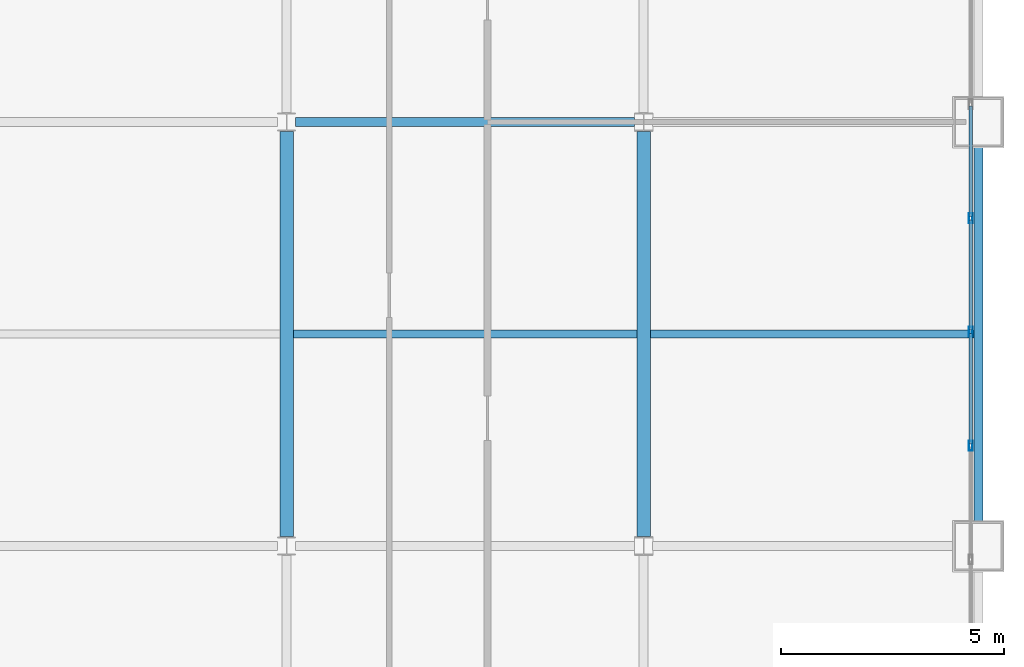
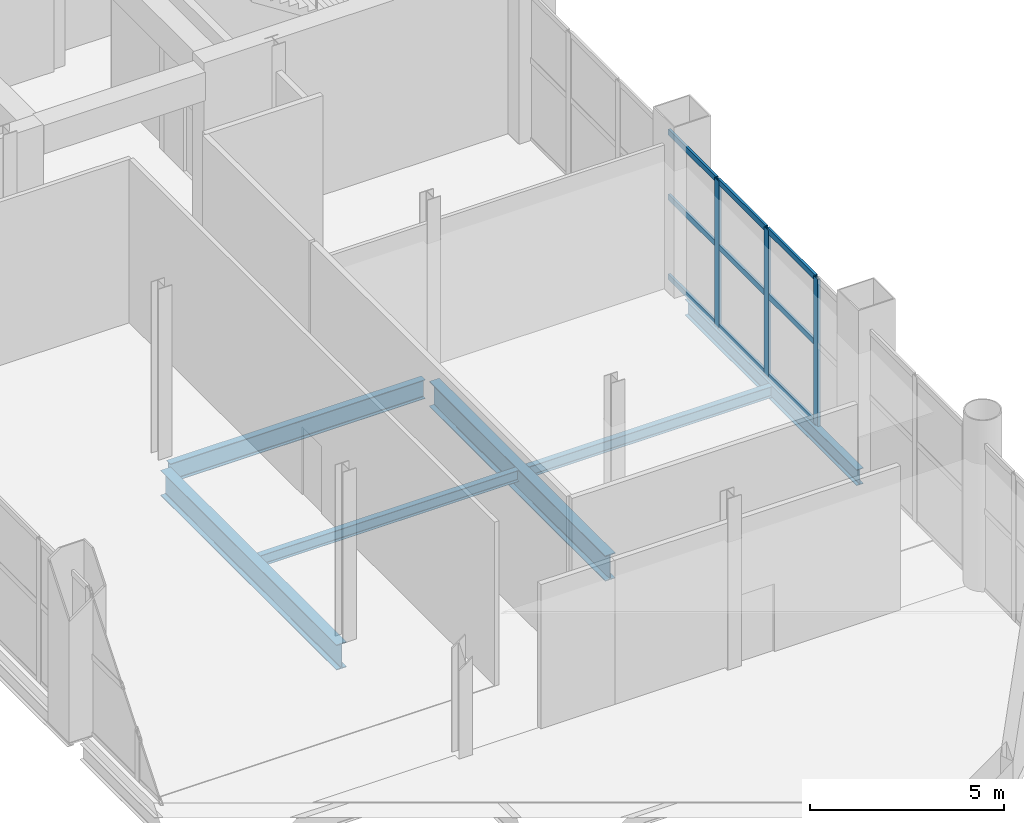
# One storey, part 10 of 22: 12 members, 6 beams, 1 element without a shape of its own.
"""IFC4 building model written with IfcOpenShell, lengths in metres."""

from ifc_helpers import new_model, si_unit, direction, frame, origin, origin_2d, place, context, subcontext, project, spatial, hollow_rectangle, i_section, extrude, material, layer, layer_set, material_profile, profile_set, type_object, element, aggregate, save


model = new_model("IFC4")

# Units and contexts
model_context = context("Model", 3, precision=1e-05, world=origin(), true_north=direction((0.0, 1.0)))
body_context = subcontext(model_context, "Body", "Model", "MODEL_VIEW")
ifc_project = project(units=[si_unit("LENGTHUNIT", "METRE"), si_unit("AREAUNIT", "SQUARE_METRE"), si_unit("VOLUMEUNIT", "CUBIC_METRE"), si_unit("PLANEANGLEUNIT", "RADIAN"), si_unit("MASSUNIT", "GRAM", prefix="KILO")], contexts=[model_context])

# Site, building, storey
site_placement = place(None, origin())
site = spatial("IfcSite", under=ifc_project, at=site_placement, CompositionType="ELEMENT")
building_placement = place(site_placement, origin())
building = spatial("IfcBuilding", under=site, at=building_placement, Name="Qianrong Seaharbour Tower", CompositionType="ELEMENT")
storey_placement = place(building_placement, frame((0.0, 0.0, 113.60009765625)))
storey = spatial("IfcBuildingStorey", under=building, at=storey_placement, Name="L27", CompositionType="ELEMENT", Elevation=113.60009765625)

# Beams
ifc_material_1 = material(Name="Structural steel SN490B", Category="steel")
ifc_material_profile_1 = material_profile(ifc_material_1, i_section(OverallWidth=0.199951171875, OverallDepth=0.60009765625, WebThickness=0.010986328125, FlangeThickness=0.01708984375, FilletRadius=0.02197265625, at=origin_2d()), Name="H600x200x11x17")
ifc_profile_set_1 = profile_set([ifc_material_profile_1], Name="Structural steel SN490B")
beam_type_1 = type_object("IfcBeamType", Name="BM-G-600", PredefinedType="BEAM", material=ifc_profile_set_1)
beam_1_placement = place(storey_placement, frame((48.70361328125, 28.0, -0.60009765625), z_axis=(1.0, 0.0, 0.0), x_axis=(0.0, 1.0, 0.0)))
element("IfcBeam", 1, at=beam_1_placement, inside=storey, type_object=beam_type_1, Name="L27 Primary Girder GE G7-G8", PredefinedType="BEAM", context=body_context, shape_type="SweptSolid", body=[
    extrude(i_section(OverallWidth=0.199951171875, OverallDepth=0.60009765625, WebThickness=0.010986328125, FlangeThickness=0.01708984375, FilletRadius=0.02197265625, at=origin_2d()), origin(), (0.0, 0.0, 1.0), 7.5927734375),
])
ifc_material_profile_2 = material_profile(ifc_material_1, i_section(OverallWidth=0.300048828125, OverallDepth=0.800048828125, WebThickness=0.013916015625, FlangeThickness=0.02587890625, FilletRadius=0.028076171875, at=origin_2d()), Name="H800x300x14x26")
ifc_profile_set_2 = profile_set([ifc_material_profile_2], Name="Structural steel SN490B")
beam_type_2 = type_object("IfcBeamType", Name="BM-G-800", PredefinedType="BEAM", material=ifc_profile_set_2)
for number, where, z_axis, x_axis, name in (
    (2, (48.5, 18.714111328125, -0.7001953125), (0.0, 1.0, 0.0), (-1.0, 0.0, 0.0), "L27 Primary Girder G7 GD-GE"),
    (3, (56.5, 18.714111328125, -0.7001953125), (0.0, 1.0, 0.0), (-1.0, 0.0, 0.0), "L27 Primary Girder G8 GD-GE"),
):
    element("IfcBeam", number, at=place(storey_placement, frame(where, z_axis=z_axis, x_axis=x_axis)), inside=storey, type_object=beam_type_2, Name=name, PredefinedType="BEAM", context=body_context, shape_type="SweptSolid", body=[
        extrude(i_section(OverallWidth=0.300048828125, OverallDepth=0.800048828125, WebThickness=0.013916015625, FlangeThickness=0.02587890625, FilletRadius=0.028076171875, at=origin_2d()), origin(), (0.0, 0.0, 1.0), 9.07177734375),
    ])
ifc_material_2 = material(Name="Structural steel SN400B", Category="steel")
ifc_material_profile_3 = material_profile(ifc_material_2, i_section(OverallWidth=0.175048828125, OverallDepth=0.35009765625, WebThickness=0.007080078125, FlangeThickness=0.010986328125, FilletRadius=0.013916015625, at=origin_2d()), Name="H350x175x7x11")
ifc_profile_set_3 = profile_set([ifc_material_profile_3], Name="Structural steel SN400B")
beam_type_3 = type_object("IfcBeamType", Name="BM-J-350", PredefinedType="JOIST", material=ifc_profile_set_3)
beam_2_placement = place(storey_placement, frame((48.64990234375, 23.25, -0.47509765625), z_axis=(1.0, 0.0, 0.0), x_axis=(0.0, 1.0, 0.0)))
element("IfcBeam", 4, at=beam_2_placement, inside=storey, type_object=beam_type_3, Name="L27 Composite Floor Joist G7-G8/GD-GE", PredefinedType="JOIST", context=body_context, shape_type="SweptSolid", body=[
    extrude(i_section(OverallWidth=0.175048828125, OverallDepth=0.35009765625, WebThickness=0.007080078125, FlangeThickness=0.010986328125, FilletRadius=0.013916015625, at=origin_2d()), origin(), (0.0, 0.0, 1.0), 7.7001953125),
])
beam_3_placement = place(storey_placement, frame((56.64990234375, 23.25, -0.47509765625), z_axis=(1.0, 0.0, 0.0), x_axis=(0.0, 1.0, 0.0)))
element("IfcBeam", 5, at=beam_3_placement, inside=storey, type_object=beam_type_3, Name="L27 Composite Floor Joist G8-G9/GD-GE", PredefinedType="JOIST", context=body_context, shape_type="SweptSolid", body=[
    extrude(i_section(OverallWidth=0.175048828125, OverallDepth=0.35009765625, WebThickness=0.007080078125, FlangeThickness=0.010986328125, FilletRadius=0.013916015625, at=origin_2d()), origin(), (0.0, 0.0, 1.0), 7.25),
])
ifc_material_profile_4 = material_profile(ifc_material_1, i_section(OverallWidth=0.199951171875, OverallDepth=0.5, WebThickness=0.010009765625, FlangeThickness=0.01611328125, FilletRadius=0.02001953125, at=origin_2d()), Name="H500x200x10x16")
ifc_profile_set_4 = profile_set([ifc_material_profile_4], Name="Structural steel SN490B")
beam_type_4 = type_object("IfcBeamType", Name="BM-SP-500", PredefinedType="SPANDREL", material=ifc_profile_set_4)
beam_4_placement = place(storey_placement, frame((64.0, 18.820068359375, -0.550048828125), z_axis=(0.0, 1.0, 0.0), x_axis=(-1.0, 0.0, 0.0)))
element("IfcBeam", 6, at=beam_4_placement, inside=storey, type_object=beam_type_4, Name="L27 Spandrel Girder G9 GD-GE", PredefinedType="SPANDREL", context=body_context, shape_type="SweptSolid", body=[
    extrude(i_section(OverallWidth=0.199951171875, OverallDepth=0.5, WebThickness=0.010009765625, FlangeThickness=0.01611328125, FilletRadius=0.02001953125, at=origin_2d()), origin(), (0.0, 0.0, 1.0), 8.85986328125),
])

# Curtain wall, members
ifc_material_3 = material(Name="Anodised aluminium 6063-T6 and laminated low-e glass", Category="aluminium")
ifc_layer = layer(ifc_material_3, 0.2099609375)
ifc_layer_set = layer_set([ifc_layer], Name="Anodised aluminium 6063-T6 and laminated low-e glass")
curtain_wall_type = type_object("IfcCurtainWallType", Name="CW-SYS-2", PredefinedType="NOTDEFINED", material=ifc_layer_set)
curtain_wall_placement = place(storey_placement, origin())
curtain_wall = element("IfcCurtainWall", 7, at=curtain_wall_placement, inside=storey, type_object=curtain_wall_type, Name="L27 Sky-Lobby Feature Curtain Wall EAST_WING", PredefinedType="NOTDEFINED")
ifc_material_4 = material(Name="Extruded aluminium 6063-T6", Category="aluminium")
ifc_material_profile_5 = material_profile(ifc_material_4, hollow_rectangle(XDim=0.080078125, YDim=0.219970703125, WallThickness=0.0048828125, at=origin_2d()), Name="ALU-MUL-220x80x5")
ifc_profile_set_5 = profile_set([ifc_material_profile_5], Name="Extruded aluminium 6063-T6")
member_type_1 = type_object("IfcMemberType", Name="CW-MUL-220", PredefinedType="MULLION", material=ifc_profile_set_5)
member_1_placement = place(storey_placement, frame((63.830078125, 25.85009765625, 0.0), z_axis=(0.0, 0.0, 1.0), x_axis=(1.0, 0.0, 0.0)))
member_1 = element("IfcMember", 8, at=member_1_placement, type_object=member_type_1, Name="CW-2 mullion 5", PredefinedType="MULLION", context=body_context, shape_type="SweptSolid", body=[
    extrude(hollow_rectangle(XDim=0.080078125, YDim=0.219970703125, WallThickness=0.0048828125, at=origin_2d()), origin(), (0.0, 0.0, 1.0), 4.625),
])
member_2_placement = place(storey_placement, frame((63.830078125, 23.300048828125, 0.0), z_axis=(0.0, 0.0, 1.0), x_axis=(1.0, 0.0, 0.0)))
member_2 = element("IfcMember", 9, at=member_2_placement, type_object=member_type_1, Name="CW-2 mullion 6", PredefinedType="MULLION", context=body_context, shape_type="SweptSolid", body=[
    extrude(hollow_rectangle(XDim=0.080078125, YDim=0.219970703125, WallThickness=0.0048828125, at=origin_2d()), origin(), (0.0, 0.0, 1.0), 4.625),
])
member_3_placement = place(storey_placement, frame((63.830078125, 20.75, 0.0), z_axis=(0.0, 0.0, 1.0), x_axis=(1.0, 0.0, 0.0)))
member_3 = element("IfcMember", 10, at=member_3_placement, type_object=member_type_1, Name="CW-2 mullion 7", PredefinedType="MULLION", context=body_context, shape_type="SweptSolid", body=[
    extrude(hollow_rectangle(XDim=0.080078125, YDim=0.219970703125, WallThickness=0.0048828125, at=origin_2d()), origin(), (0.0, 0.0, 1.0), 4.625),
])
ifc_material_profile_6 = material_profile(ifc_material_4, hollow_rectangle(XDim=0.070068359375, YDim=0.179931640625, WallThickness=0.00390625, at=origin_2d()), Name="ALU-TRN-180x70x4")
ifc_profile_set_6 = profile_set([ifc_material_profile_6], Name="Extruded aluminium 6063-T6")
member_type_2 = type_object("IfcMemberType", Name="CW-TRN-180", PredefinedType="USERDEFINED", material=ifc_profile_set_6)
member_4_placement = place(storey_placement, frame((63.830078125, 28.360107421875, 0.034912109375), z_axis=(0.0, -1.0, 0.0), x_axis=(1.0, 0.0, 0.0)))
member_4 = element("IfcMember", 11, at=member_4_placement, type_object=member_type_2, Name="CW-2 transom 4.1", ObjectType="TRANSOM", PredefinedType="USERDEFINED", context=body_context, shape_type="SweptSolid", body=[
    extrude(hollow_rectangle(XDim=0.070068359375, YDim=0.179931640625, WallThickness=0.00390625, at=origin_2d()), origin(), (0.0, 0.0, 1.0), 2.47021484375),
])
member_5_placement = place(storey_placement, frame((63.830078125, 28.360107421875, 2.543701171875), z_axis=(0.0, -1.0, 0.0), x_axis=(1.0, 0.0, 0.0)))
member_5 = element("IfcMember", 12, at=member_5_placement, type_object=member_type_2, Name="CW-2 transom 4.2", ObjectType="TRANSOM", PredefinedType="USERDEFINED", context=body_context, shape_type="SweptSolid", body=[
    extrude(hollow_rectangle(XDim=0.070068359375, YDim=0.179931640625, WallThickness=0.00390625, at=origin_2d()), origin(), (0.0, 0.0, 1.0), 2.47021484375),
])
member_6_placement = place(storey_placement, frame((63.830078125, 28.360107421875, 4.58984375), z_axis=(0.0, -1.0, 0.0), x_axis=(1.0, 0.0, 0.0)))
member_6 = element("IfcMember", 13, at=member_6_placement, type_object=member_type_2, Name="CW-2 transom 4.3", ObjectType="TRANSOM", PredefinedType="USERDEFINED", context=body_context, shape_type="SweptSolid", body=[
    extrude(hollow_rectangle(XDim=0.070068359375, YDim=0.179931640625, WallThickness=0.00390625, at=origin_2d()), origin(), (0.0, 0.0, 1.0), 2.47021484375),
])
member_7_placement = place(storey_placement, frame((63.830078125, 25.81005859375, 0.034912109375), z_axis=(0.0, -1.0, 0.0), x_axis=(1.0, 0.0, 0.0)))
member_7 = element("IfcMember", 14, at=member_7_placement, type_object=member_type_2, Name="CW-2 transom 5.1", ObjectType="TRANSOM", PredefinedType="USERDEFINED", context=body_context, shape_type="SweptSolid", body=[
    extrude(hollow_rectangle(XDim=0.070068359375, YDim=0.179931640625, WallThickness=0.00390625, at=origin_2d()), origin(), (0.0, 0.0, 1.0), 2.469970703125),
])
member_8_placement = place(storey_placement, frame((63.830078125, 25.81005859375, 2.543701171875), z_axis=(0.0, -1.0, 0.0), x_axis=(1.0, 0.0, 0.0)))
member_8 = element("IfcMember", 15, at=member_8_placement, type_object=member_type_2, Name="CW-2 transom 5.2", ObjectType="TRANSOM", PredefinedType="USERDEFINED", context=body_context, shape_type="SweptSolid", body=[
    extrude(hollow_rectangle(XDim=0.070068359375, YDim=0.179931640625, WallThickness=0.00390625, at=origin_2d()), origin(), (0.0, 0.0, 1.0), 2.469970703125),
])
member_9_placement = place(storey_placement, frame((63.830078125, 25.81005859375, 4.58984375), z_axis=(0.0, -1.0, 0.0), x_axis=(1.0, 0.0, 0.0)))
member_9 = element("IfcMember", 16, at=member_9_placement, type_object=member_type_2, Name="CW-2 transom 5.3", ObjectType="TRANSOM", PredefinedType="USERDEFINED", context=body_context, shape_type="SweptSolid", body=[
    extrude(hollow_rectangle(XDim=0.070068359375, YDim=0.179931640625, WallThickness=0.00390625, at=origin_2d()), origin(), (0.0, 0.0, 1.0), 2.469970703125),
])
member_10_placement = place(storey_placement, frame((63.830078125, 23.260009765625, 0.034912109375), z_axis=(0.0, -1.0, 0.0), x_axis=(1.0, 0.0, 0.0)))
member_10 = element("IfcMember", 17, at=member_10_placement, type_object=member_type_2, Name="CW-2 transom 6.1", ObjectType="TRANSOM", PredefinedType="USERDEFINED", context=body_context, shape_type="SweptSolid", body=[
    extrude(hollow_rectangle(XDim=0.070068359375, YDim=0.179931640625, WallThickness=0.00390625, at=origin_2d()), origin(), (0.0, 0.0, 1.0), 2.469970703125),
])
member_11_placement = place(storey_placement, frame((63.830078125, 23.260009765625, 2.543701171875), z_axis=(0.0, -1.0, 0.0), x_axis=(1.0, 0.0, 0.0)))
member_11 = element("IfcMember", 18, at=member_11_placement, type_object=member_type_2, Name="CW-2 transom 6.2", ObjectType="TRANSOM", PredefinedType="USERDEFINED", context=body_context, shape_type="SweptSolid", body=[
    extrude(hollow_rectangle(XDim=0.070068359375, YDim=0.179931640625, WallThickness=0.00390625, at=origin_2d()), origin(), (0.0, 0.0, 1.0), 2.469970703125),
])
member_12_placement = place(storey_placement, frame((63.830078125, 23.260009765625, 4.58984375), z_axis=(0.0, -1.0, 0.0), x_axis=(1.0, 0.0, 0.0)))
member_12 = element("IfcMember", 19, at=member_12_placement, type_object=member_type_2, Name="CW-2 transom 6.3", ObjectType="TRANSOM", PredefinedType="USERDEFINED", context=body_context, shape_type="SweptSolid", body=[
    extrude(hollow_rectangle(XDim=0.070068359375, YDim=0.179931640625, WallThickness=0.00390625, at=origin_2d()), origin(), (0.0, 0.0, 1.0), 2.469970703125),
])
aggregate(curtain_wall, [member_1, member_2, member_3, member_4, member_5, member_6, member_7, member_8, member_9, member_10, member_11, member_12])

save(model, "model.ifc")
